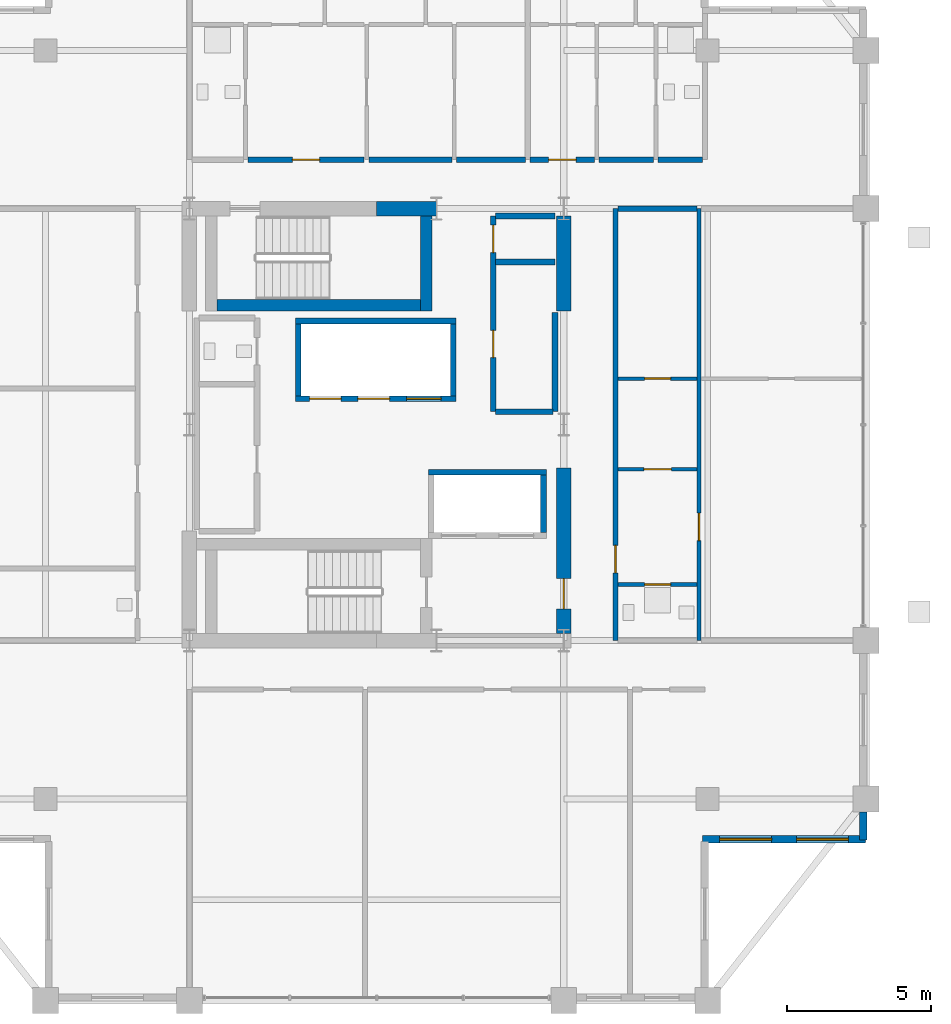
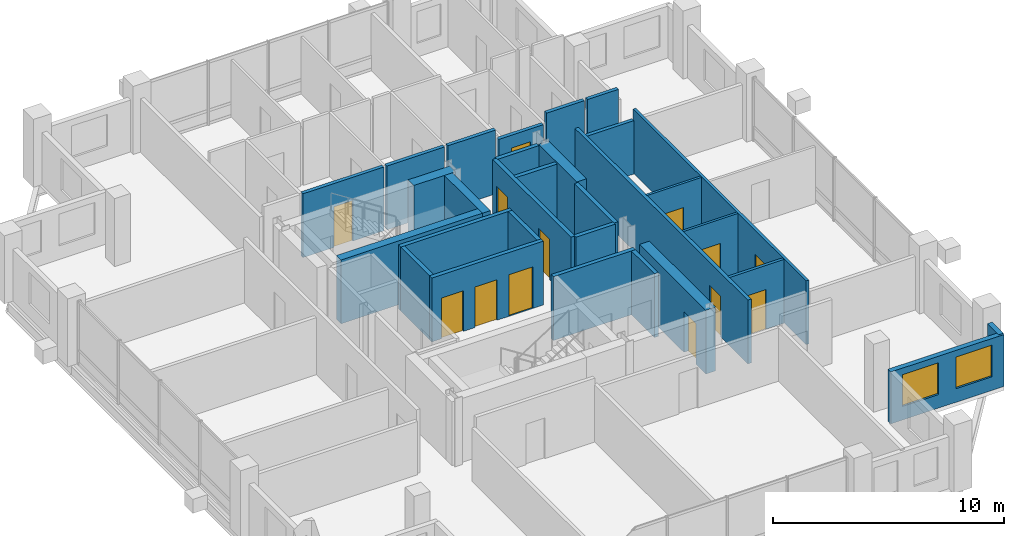
# One storey, part 17 of 21: 30 walls, 13 doors, 2 windows, 15 openings.
"""IFC4 building model written with IfcOpenShell, lengths in metres."""

from ifc_helpers import new_model, si_unit, direction, frame, frame_2d, origin, place, context, subcontext, project, spatial, rectangle, extrude, material, layer, layer_set, type_object, element, fill, save


model = new_model("IFC4")

# Units and contexts
model_context = context("Model", 3, precision=1e-05, world=origin(), true_north=direction((0.0, 1.0)))
body_context = subcontext(model_context, "Body", "Model", "MODEL_VIEW")
ifc_project = project(units=[si_unit("LENGTHUNIT", "METRE"), si_unit("AREAUNIT", "SQUARE_METRE"), si_unit("VOLUMEUNIT", "CUBIC_METRE"), si_unit("PLANEANGLEUNIT", "RADIAN"), si_unit("MASSUNIT", "GRAM", prefix="KILO")], contexts=[model_context])

# Site, building, storey
site_placement = place(None, origin())
site = spatial("IfcSite", under=ifc_project, at=site_placement, CompositionType="ELEMENT")
building_placement = place(site_placement, origin())
building = spatial("IfcBuilding", under=site, at=building_placement, Name="Barlavira Tower and Art Museum", CompositionType="ELEMENT")
storey_placement = place(building_placement, frame((0.0, 0.0, 276.300048828125)))
storey = spatial("IfcBuildingStorey", under=building, at=storey_placement, Name="L72", CompositionType="ELEMENT", Elevation=276.300048828125)

# Wall, opening, door
ifc_material_1 = material(Name="Gypsum acoustic stud partition", Category="gypsum")
ifc_layer_1 = layer(ifc_material_1, 0.1201171875, Name="Gypsum acoustic stud partition")
ifc_layer_set_1 = layer_set([ifc_layer_1], Name="Gypsum acoustic stud partition")
wall_type_1 = type_object("IfcWallType", Name="Apartment Internal Acoustic Partition 120", PredefinedType="PARTITIONING", material=ifc_layer_set_1)
wall_1_placement = place(storey_placement, frame((8.3798828125, -1.550048828125, 0.0), z_axis=(0.0, 0.0, 1.0), x_axis=(1.0, 0.0, 0.0)))
wall_1 = element("IfcWall", 1, at=wall_1_placement, inside=storey, type_object=wall_type_1, Name="L72 Partition Wall 31", PredefinedType="PARTITIONING", context=body_context, shape_type="SweptSolid", body=[
    extrude(rectangle(XDim=2.740234375, YDim=0.1201171875, at=frame_2d((1.3701171875, 0.0))), origin(), (0.0, 0.0, 1.0), 3.3798828125),
])
opening_1_placement = place(wall_1_placement, frame((0.905029296875, 0.0, 0.0)))
opening_1 = element("IfcOpeningElement", 2, at=opening_1_placement, cuts=wall_1, Name="Opening D-02", PredefinedType="OPENING", context=body_context, shape_type="SweptSolid", body=[
    extrude(rectangle(XDim=0.949951171875, YDim=2.10009765625, at=frame_2d((0.47509765625, 1.050048828125))), frame((0.0, 0.070068359375, 0.0), z_axis=(0.0, -1.0, 0.0), x_axis=(1.0, 0.0, 0.0)), (0.0, 0.0, 1.0), 0.14013671875),
])
ifc_material_2 = material(Name="Engineered coastal hardwood", Category="wood")
door_type_1 = type_object("IfcDoorType", Name="Living and Salon Glazed-Leaf Door 950x2100", OperationType="NOTDEFINED", PredefinedType="DOOR", material=ifc_material_2)
door_1_placement = place(opening_1_placement, origin())
door_1 = element("IfcDoor", 3, at=door_1_placement, inside=storey, type_object=door_type_1, Name="Apartment E1 Kitchen Door", OperationType="SINGLE_SWING_RIGHT", OverallHeight=2.10009765625, OverallWidth=0.949951171875, PredefinedType="DOOR", context=body_context, shape_type="SweptSolid", body=[
    extrude(rectangle(XDim=0.949951171875, YDim=2.10009765625, at=frame_2d((0.47509765625, 1.050048828125))), frame((0.0, 0.02490234375, 0.0), z_axis=(0.0, -1.0, 0.0), x_axis=(1.0, 0.0, 0.0)), (0.0, 0.0, 1.0), 0.050048828125),
])
fill(opening_1, door_1)

wall_2_placement = place(storey_placement, frame((8.3798828125, 1.60009765625, 0.0), z_axis=(0.0, 0.0, 1.0), x_axis=(1.0, 0.0, 0.0)))
wall_2 = element("IfcWall", 4, at=wall_2_placement, inside=storey, type_object=wall_type_1, Name="L72 Partition Wall 35", PredefinedType="PARTITIONING", context=body_context, shape_type="SweptSolid", body=[
    extrude(rectangle(XDim=2.740234375, YDim=0.1201171875, at=frame_2d((1.3701171875, 0.0))), origin(), (0.0, 0.0, 1.0), 3.3798828125),
])
opening_2_placement = place(wall_2_placement, frame((0.929931640625, 0.0, 0.0)))
opening_2 = element("IfcOpeningElement", 5, at=opening_2_placement, cuts=wall_2, Name="Opening D-01", PredefinedType="OPENING", context=body_context, shape_type="SweptSolid", body=[
    extrude(rectangle(XDim=0.89990234375, YDim=2.10009765625, at=frame_2d((0.449951171875, 1.050048828125))), frame((0.0, 0.070068359375, 0.0), z_axis=(0.0, -1.0, 0.0), x_axis=(1.0, 0.0, 0.0)), (0.0, 0.0, 1.0), 0.14013671875),
])
door_type_2 = type_object("IfcDoorType", Name="Internal Bedroom Timber Flush Door 900x2100", OperationType="NOTDEFINED", PredefinedType="DOOR", material=ifc_material_2)
door_2_placement = place(opening_2_placement, origin())
door_2 = element("IfcDoor", 6, at=door_2_placement, inside=storey, type_object=door_type_2, Name="Apartment E1 Walk-In Dressing Room Door", OperationType="SINGLE_SWING_LEFT", OverallHeight=2.10009765625, OverallWidth=0.89990234375, PredefinedType="DOOR", context=body_context, shape_type="SweptSolid", body=[
    extrude(rectangle(XDim=0.89990234375, YDim=2.10009765625, at=frame_2d((0.449951171875, 1.050048828125))), frame((0.0, 0.02490234375, 0.0), z_axis=(0.0, -1.0, 0.0), x_axis=(1.0, 0.0, 0.0)), (0.0, 0.0, 1.0), 0.050048828125),
])
fill(opening_2, door_2)

# Wall
ifc_material_3 = material(Name="Concrete C60", Category="concrete")
ifc_layer_2 = layer(ifc_material_3, 0.5, Name="Concrete C60")
ifc_layer_set_2 = layer_set([ifc_layer_2], Name="Concrete C60")
wall_type_2 = type_object("IfcWallType", Name="Core Structural Shear Wall 500 Concrete C60", PredefinedType="SHEAR", material=ifc_layer_set_2)
wall_3_placement = place(storey_placement, frame((0.0, 7.5, 0.0), z_axis=(0.0, 0.0, 1.0), x_axis=(1.0, 0.0, 0.0)))
element("IfcWall", 7, at=wall_3_placement, inside=storey, type_object=wall_type_2, Name="L72 Core Shear Wall CS-EN", PredefinedType="SHEAR", context=body_context, shape_type="SweptSolid", body=[
    extrude(rectangle(XDim=2.080078125, YDim=0.5, at=frame_2d((1.0400390625, 0.0))), origin(), (0.0, 0.0, 1.0), 3.3798828125),
])

# Wall, opening, door
wall_4_placement = place(storey_placement, frame((6.5, -7.25, 0.0), z_axis=(0.0, 0.0, 1.0), x_axis=(0.0, 1.0, 0.0)))
wall_4 = element("IfcWall", 8, at=wall_4_placement, inside=storey, type_object=wall_type_2, Name="L72 Core Shear Wall CS-E1", PredefinedType="SHEAR", context=body_context, shape_type="SweptSolid", body=[
    extrude(rectangle(XDim=5.75, YDim=0.5, at=frame_2d((2.875, 0.0))), origin(), (0.0, 0.0, 1.0), 3.3798828125),
])
opening_3_placement = place(wall_4_placement, frame((0.85009765625, 0.0, 0.0)))
opening_3 = element("IfcOpeningElement", 9, at=opening_3_placement, cuts=wall_4, Name="Opening FD-90", PredefinedType="OPENING", context=body_context, shape_type="SweptSolid", body=[
    extrude(rectangle(XDim=1.050048828125, YDim=2.14990234375, at=frame_2d((0.52490234375, 1.074951171875))), frame((0.0, 0.260009765625, 0.0), z_axis=(0.0, -1.0, 0.0), x_axis=(1.0, 0.0, 0.0)), (0.0, 0.0, 1.0), 0.52001953125),
])
ifc_material_4 = material(Name="Brushed stainless steel", Category="steel")
door_type_3 = type_object("IfcDoorType", Name="Stair and Refuge Fire Door 1050x2150 FD90S", OperationType="NOTDEFINED", PredefinedType="DOOR", material=ifc_material_4)
door_3_placement = place(opening_3_placement, origin())
door_3 = element("IfcDoor", 10, at=door_3_placement, inside=storey, type_object=door_type_3, Name="L72 Firefighting Lobby Entry Fire Door", OperationType="SINGLE_SWING_LEFT", OverallHeight=2.14990234375, OverallWidth=1.050048828125, PredefinedType="DOOR", context=body_context, shape_type="SweptSolid", body=[
    extrude(rectangle(XDim=1.050048828125, YDim=2.14990234375, at=frame_2d((0.52490234375, 1.074951171875))), frame((0.0, 0.02490234375, 0.0), z_axis=(0.0, -1.0, 0.0), x_axis=(1.0, 0.0, 0.0)), (0.0, 0.0, 1.0), 0.050048828125),
])
fill(opening_3, door_3)

# Wall
wall_5_placement = place(storey_placement, frame((6.5, 3.949951171875, 0.0), z_axis=(0.0, 0.0, 1.0), x_axis=(0.0, 1.0, 0.0)))
element("IfcWall", 11, at=wall_5_placement, inside=storey, type_object=wall_type_2, Name="L72 Core Shear Wall CS-E2", PredefinedType="SHEAR", context=body_context, shape_type="SweptSolid", body=[
    extrude(rectangle(XDim=3.300048828125, YDim=0.5, at=frame_2d((1.64990234375, 0.0))), origin(), (0.0, 0.0, 1.0), 3.3798828125),
])

# Wall, openings, doors
ifc_material_5 = material(Name="Autoclaved aerated concrete masonry", Category="masonry")
ifc_layer_3 = layer(ifc_material_5, 0.199951171875, Name="Autoclaved aerated concrete masonry")
ifc_layer_set_3 = layer_set([ifc_layer_3], Name="Autoclaved aerated concrete masonry")
wall_type_3 = type_object("IfcWallType", Name="Fire Compartment and Shaft Wall 200", PredefinedType="SOLIDWALL", material=ifc_layer_set_3)
wall_6_placement = place(storey_placement, frame((-2.820068359375, 0.89990234375, 0.0), z_axis=(0.0, 0.0, 1.0), x_axis=(1.0, 0.0, 0.0)))
wall_6 = element("IfcWall", 12, at=wall_6_placement, inside=storey, type_object=wall_type_3, Name="L72 High-Rise & Service Lift Front Wall", PredefinedType="SOLIDWALL", context=body_context, shape_type="SweptSolid", body=[
    extrude(rectangle(XDim=5.580078125, YDim=0.199951171875, at=frame_2d((2.7900390625, 0.0))), origin(), (0.0, 0.0, 1.0), 3.3798828125),
])
opening_4_placement = place(wall_6_placement, frame((0.489990234375, 0.0, 0.0)))
opening_4 = element("IfcOpeningElement", 13, at=opening_4_placement, cuts=wall_6, Name="Opening LD-P", PredefinedType="OPENING", context=body_context, shape_type="SweptSolid", body=[
    extrude(rectangle(XDim=1.10009765625, YDim=2.14990234375, at=frame_2d((0.550048828125, 1.074951171875))), frame((0.0, 0.10986328125, 0.0), z_axis=(0.0, -1.0, 0.0), x_axis=(1.0, 0.0, 0.0)), (0.0, 0.0, 1.0), 0.219970703125),
])
opening_5_placement = place(wall_6_placement, frame((2.169921875, 0.0, 0.0)))
opening_5 = element("IfcOpeningElement", 14, at=opening_5_placement, cuts=wall_6, Name="Opening LD-P", PredefinedType="OPENING", context=body_context, shape_type="SweptSolid", body=[
    extrude(rectangle(XDim=1.10009765625, YDim=2.14990234375, at=frame_2d((0.550048828125, 1.074951171875))), frame((0.0, 0.10986328125, 0.0), z_axis=(0.0, -1.0, 0.0), x_axis=(1.0, 0.0, 0.0)), (0.0, 0.0, 1.0), 0.219970703125),
])
opening_6_placement = place(wall_6_placement, frame((3.860107421875, 0.0, 0.0)))
opening_6 = element("IfcOpeningElement", 15, at=opening_6_placement, cuts=wall_6, Name="Opening LD-F", PredefinedType="OPENING", context=body_context, shape_type="SweptSolid", body=[
    extrude(rectangle(XDim=1.199951171875, YDim=2.199951171875, at=frame_2d((0.60009765625, 1.10009765625))), frame((0.0, 0.10986328125, 0.0), z_axis=(0.0, -1.0, 0.0), x_axis=(1.0, 0.0, 0.0)), (0.0, 0.0, 1.0), 0.219970703125),
])
door_type_4 = type_object("IfcDoorType", Name="Firefighting and Service Lift Sliding Door 1200x2200 FD120", OperationType="NOTDEFINED", PredefinedType="DOOR", material=ifc_material_4)
door_4_placement = place(opening_6_placement, origin())
door_4 = element("IfcDoor", 16, at=door_4_placement, inside=storey, type_object=door_type_4, Name="L72 Stretcher Service Lift SL1 Sliding Door", OperationType="DOUBLE_DOOR_SLIDING", OverallHeight=2.199951171875, OverallWidth=1.199951171875, PredefinedType="DOOR", context=body_context, shape_type="SweptSolid", body=[
    extrude(rectangle(XDim=1.199951171875, YDim=2.199951171875, at=frame_2d((0.60009765625, 1.10009765625))), frame((0.0, 0.02490234375, 0.0), z_axis=(0.0, -1.0, 0.0), x_axis=(1.0, 0.0, 0.0)), (0.0, 0.0, 1.0), 0.050048828125),
])
fill(opening_6, door_4)
door_type_5 = type_object("IfcDoorType", Name="Passenger Lift Sliding Landing Door 1100x2150 FD60", OperationType="NOTDEFINED", PredefinedType="DOOR", material=ifc_material_4)
door_5_placement = place(opening_4_placement, origin())
door_5 = element("IfcDoor", 17, at=door_5_placement, inside=storey, type_object=door_type_5, Name="L72 Lift PH1 Sliding Landing Door", OperationType="DOUBLE_DOOR_SLIDING", OverallHeight=2.14990234375, OverallWidth=1.10009765625, PredefinedType="DOOR", context=body_context, shape_type="SweptSolid", body=[
    extrude(rectangle(XDim=1.10009765625, YDim=2.14990234375, at=frame_2d((0.550048828125, 1.074951171875))), frame((0.0, 0.02490234375, 0.0), z_axis=(0.0, -1.0, 0.0), x_axis=(1.0, 0.0, 0.0)), (0.0, 0.0, 1.0), 0.050048828125),
])
fill(opening_4, door_5)
door_6_placement = place(opening_5_placement, origin())
door_6 = element("IfcDoor", 18, at=door_6_placement, inside=storey, type_object=door_type_5, Name="L72 Lift PH2 Sliding Landing Door", OperationType="DOUBLE_DOOR_SLIDING", OverallHeight=2.14990234375, OverallWidth=1.10009765625, PredefinedType="DOOR", context=body_context, shape_type="SweptSolid", body=[
    extrude(rectangle(XDim=1.10009765625, YDim=2.14990234375, at=frame_2d((0.550048828125, 1.074951171875))), frame((0.0, 0.02490234375, 0.0), z_axis=(0.0, -1.0, 0.0), x_axis=(1.0, 0.0, 0.0)), (0.0, 0.0, 1.0), 0.050048828125),
])
fill(opening_5, door_6)

# Walls
wall_7_placement = place(storey_placement, frame((-2.820068359375, 3.60009765625, 0.0), z_axis=(0.0, 0.0, 1.0), x_axis=(1.0, 0.0, 0.0)))
element("IfcWall", 19, at=wall_7_placement, inside=storey, type_object=wall_type_3, Name="L72 High-Rise & Service Lift Back Wall", PredefinedType="SOLIDWALL", context=body_context, shape_type="SweptSolid", body=[
    extrude(rectangle(XDim=5.580078125, YDim=0.199951171875, at=frame_2d((2.7900390625, 0.0))), origin(), (0.0, 0.0, 1.0), 3.3798828125),
])
for number, where, z_axis, x_axis, name in (
    (20, (-2.719970703125, 1.0, 0.0), (0.0, 0.0, 1.0), (0.0, 1.0, 0.0), "L72 High-Rise & Service Lift West Wall"),
    (21, (2.659912109375, 1.0, 0.0), (0.0, 0.0, 1.0), (0.0, 1.0, 0.0), "L72 High-Rise & Service Lift East Wall"),
):
    element("IfcWall", number, at=place(storey_placement, frame(where, z_axis=z_axis, x_axis=x_axis)), inside=storey, type_object=wall_type_3, Name=name, PredefinedType="SOLIDWALL", context=body_context, shape_type="SweptSolid", body=[
        extrude(rectangle(XDim=2.5, YDim=0.199951171875, at=frame_2d((1.25, 0.0))), origin(), (0.0, 0.0, 1.0), 3.3798828125),
    ])
wall_8_placement = place(storey_placement, frame((1.800048828125, -1.64990234375, 0.0), z_axis=(0.0, 0.0, 1.0), x_axis=(1.0, 0.0, 0.0)))
element("IfcWall", 22, at=wall_8_placement, inside=storey, type_object=wall_type_3, Name="L72 Firefighting Lift Back Shaft Wall", PredefinedType="SOLIDWALL", context=body_context, shape_type="SweptSolid", body=[
    extrude(rectangle(XDim=4.099853515625, YDim=0.199951171875, at=frame_2d((2.0498046875, 0.0))), origin(), (0.0, 0.0, 1.0), 3.3798828125),
])
wall_9_placement = place(storey_placement, frame((5.800048828125, -3.75, 0.0), z_axis=(0.0, 0.0, 1.0), x_axis=(0.0, 1.0, 0.0)))
element("IfcWall", 23, at=wall_9_placement, inside=storey, type_object=wall_type_3, Name="L72 Firefighting Lift East Shaft Wall", PredefinedType="SOLIDWALL", context=body_context, shape_type="SweptSolid", body=[
    extrude(rectangle(XDim=2.0, YDim=0.199951171875, at=frame_2d((1.0, 0.0))), origin(), (0.0, 0.0, 1.0), 3.3798828125),
])

# Wall, openings, doors
wall_10_placement = place(storey_placement, frame((4.050048828125, 0.449951171875, 0.0), z_axis=(0.0, 0.0, 1.0), x_axis=(0.0, 1.0, 0.0)))
wall_10 = element("IfcWall", 24, at=wall_10_placement, inside=storey, type_object=wall_type_3, Name="L72 Partition Wall 12", PredefinedType="SOLIDWALL", context=body_context, shape_type="SweptSolid", body=[
    extrude(rectangle(XDim=6.800048828125, YDim=0.199951171875, at=frame_2d((3.39990234375, 0.0))), origin(), (0.0, 0.0, 1.0), 3.3798828125),
])
opening_7_placement = place(wall_10_placement, frame((1.875, 0.0, 0.0)))
opening_7 = element("IfcOpeningElement", 25, at=opening_7_placement, cuts=wall_10, Name="Opening FD-60", PredefinedType="OPENING", context=body_context, shape_type="SweptSolid", body=[
    extrude(rectangle(XDim=0.949951171875, YDim=2.14990234375, at=frame_2d((0.47509765625, 1.074951171875))), frame((0.0, 0.10986328125, 0.0), z_axis=(0.0, -1.0, 0.0), x_axis=(1.0, 0.0, 0.0)), (0.0, 0.0, 1.0), 0.219970703125),
])
opening_8_placement = place(wall_10_placement, frame((5.52490234375, 0.0, 0.0)))
opening_8 = element("IfcOpeningElement", 26, at=opening_8_placement, cuts=wall_10, Name="Opening FD-60", PredefinedType="OPENING", context=body_context, shape_type="SweptSolid", body=[
    extrude(rectangle(XDim=0.949951171875, YDim=2.14990234375, at=frame_2d((0.47509765625, 1.074951171875))), frame((0.0, 0.10986328125, 0.0), z_axis=(0.0, -1.0, 0.0), x_axis=(1.0, 0.0, 0.0)), (0.0, 0.0, 1.0), 0.219970703125),
])
door_type_6 = type_object("IfcDoorType", Name="Apartment Entrance and Riser Fire Door 950x2150 FD60S", OperationType="NOTDEFINED", PredefinedType="DOOR", material=ifc_material_4)
door_7_placement = place(opening_7_placement, origin())
door_7 = element("IfcDoor", 27, at=door_7_placement, inside=storey, type_object=door_type_6, Name="Reclaimed Upper Core Study Salon Door", OperationType="SINGLE_SWING_RIGHT", OverallHeight=2.14990234375, OverallWidth=0.949951171875, PredefinedType="DOOR", context=body_context, shape_type="SweptSolid", body=[
    extrude(rectangle(XDim=0.949951171875, YDim=2.14990234375, at=frame_2d((0.47509765625, 1.074951171875))), frame((0.0, 0.02490234375, 0.0), z_axis=(0.0, -1.0, 0.0), x_axis=(1.0, 0.0, 0.0)), (0.0, 0.0, 1.0), 0.050048828125),
])
fill(opening_7, door_7)
door_8_placement = place(opening_8_placement, origin())
door_8 = element("IfcDoor", 28, at=door_8_placement, inside=storey, type_object=door_type_6, Name="Telecom and BMS Distribution Room Door", OperationType="SINGLE_SWING_LEFT", OverallHeight=2.14990234375, OverallWidth=0.949951171875, PredefinedType="DOOR", context=body_context, shape_type="SweptSolid", body=[
    extrude(rectangle(XDim=0.949951171875, YDim=2.14990234375, at=frame_2d((0.47509765625, 1.074951171875))), frame((0.0, 0.02490234375, 0.0), z_axis=(0.0, -1.0, 0.0), x_axis=(1.0, 0.0, 0.0)), (0.0, 0.0, 1.0), 0.050048828125),
])
fill(opening_8, door_8)

# Walls
wall_11_placement = place(storey_placement, frame((6.199951171875, 0.449951171875, 0.0), z_axis=(0.0, 0.0, 1.0), x_axis=(0.0, 1.0, 0.0)))
element("IfcWall", 29, at=wall_11_placement, inside=storey, type_object=wall_type_3, Name="L72 Partition Wall 14", PredefinedType="SOLIDWALL", context=body_context, shape_type="SweptSolid", body=[
    extrude(rectangle(XDim=3.43994140625, YDim=0.199951171875, at=frame_2d((1.719970703125, 0.0))), origin(), (0.0, 0.0, 1.0), 3.3798828125),
])
wall_12_placement = place(storey_placement, frame((4.1298828125, 0.449951171875, 0.0), z_axis=(0.0, 0.0, 1.0), x_axis=(1.0, 0.0, 0.0)))
element("IfcWall", 30, at=wall_12_placement, inside=storey, type_object=wall_type_3, Name="L72 Partition Wall 32", PredefinedType="SOLIDWALL", context=body_context, shape_type="SweptSolid", body=[
    extrude(rectangle(XDim=1.990234375, YDim=0.199951171875, at=frame_2d((0.9951171875, 0.0))), origin(), (0.0, 0.0, 1.0), 3.3798828125),
])
for number, where, z_axis, x_axis, name in (
    (31, (4.1298828125, 5.64990234375, 0.0), (0.0, 0.0, 1.0), (1.0, 0.0, 0.0), "L72 Partition Wall 38"),
    (32, (4.1298828125, 7.25, 0.0), (0.0, 0.0, 1.0), (1.0, 0.0, 0.0), "L72 Partition Wall 39"),
):
    element("IfcWall", number, at=place(storey_placement, frame(where, z_axis=z_axis, x_axis=x_axis)), inside=storey, type_object=wall_type_3, Name=name, PredefinedType="SOLIDWALL", context=body_context, shape_type="SweptSolid", body=[
        extrude(rectangle(XDim=2.070068359375, YDim=0.199951171875, at=frame_2d((1.03515625, 0.0))), origin(), (0.0, 0.0, 1.0), 3.3798828125),
    ])

# Wall, opening, door
ifc_layer_4 = layer(ifc_material_1, 0.179931640625, Name="Gypsum acoustic stud partition")
ifc_layer_set_4 = layer_set([ifc_layer_4], Name="Gypsum acoustic stud partition")
wall_type_4 = type_object("IfcWallType", Name="Inter-Tenancy Party Partition Wall 180", PredefinedType="PARTITIONING", material=ifc_layer_set_4)
wall_13_placement = place(storey_placement, frame((8.300048828125, -7.5, 0.0), z_axis=(0.0, 0.0, 1.0), x_axis=(0.0, 1.0, 0.0)))
wall_13 = element("IfcWall", 33, at=wall_13_placement, inside=storey, type_object=wall_type_4, Name="L72 Partition Wall 16", PredefinedType="PARTITIONING", context=body_context, shape_type="SweptSolid", body=[
    extrude(rectangle(XDim=15.0, YDim=0.179931640625, at=frame_2d((7.5, 0.0))), origin(), (0.0, 0.0, 1.0), 3.3798828125),
])
opening_9_placement = place(wall_13_placement, frame((2.35498046875, 0.0, 0.0)))
opening_9 = element("IfcOpeningElement", 34, at=opening_9_placement, cuts=wall_13, Name="Opening FD-60", PredefinedType="OPENING", context=body_context, shape_type="SweptSolid", body=[
    extrude(rectangle(XDim=0.949951171875, YDim=2.14990234375, at=frame_2d((0.47509765625, 1.074951171875))), frame((0.0, 0.10009765625, 0.0), z_axis=(0.0, -1.0, 0.0), x_axis=(1.0, 0.0, 0.0)), (0.0, 0.0, 1.0), 0.199951171875),
])
door_9_placement = place(opening_9_placement, origin())
door_9 = element("IfcDoor", 35, at=door_9_placement, inside=storey, type_object=door_type_6, Name="Apartment Entrance Hall E1 Door", OperationType="SINGLE_SWING_LEFT", OverallHeight=2.14990234375, OverallWidth=0.949951171875, PredefinedType="DOOR", context=body_context, shape_type="SweptSolid", body=[
    extrude(rectangle(XDim=0.949951171875, YDim=2.14990234375, at=frame_2d((0.47509765625, 1.074951171875))), frame((0.0, 0.02490234375, 0.0), z_axis=(0.0, -1.0, 0.0), x_axis=(1.0, 0.0, 0.0)), (0.0, 0.0, 1.0), 0.050048828125),
])
fill(opening_9, door_9)

# Wall
wall_14_placement = place(storey_placement, frame((8.3798828125, 7.5, 0.0), z_axis=(0.0, 0.0, 1.0), x_axis=(1.0, 0.0, 0.0)))
element("IfcWall", 36, at=wall_14_placement, inside=storey, type_object=wall_type_4, Name="L72 Partition Wall 41", PredefinedType="PARTITIONING", context=body_context, shape_type="SweptSolid", body=[
    extrude(rectangle(XDim=2.740234375, YDim=0.179931640625, at=frame_2d((1.3701171875, 0.0))), origin(), (0.0, 0.0, 1.0), 2.825927734375),
])

# Wall, opening, door
wall_15_placement = place(storey_placement, frame((-4.469970703125, 9.199951171875, 0.0), z_axis=(0.0, 0.0, 1.0), x_axis=(1.0, 0.0, 0.0)))
wall_15 = element("IfcWall", 37, at=wall_15_placement, inside=storey, type_object=wall_type_4, Name="L72 Partition Wall 44", PredefinedType="PARTITIONING", context=body_context, shape_type="SweptSolid", body=[
    extrude(rectangle(XDim=4.0400390625, YDim=0.179931640625, at=frame_2d((2.02001953125, 0.0))), origin(), (0.0, 0.0, 1.0), 3.3798828125),
])
opening_10_placement = place(wall_15_placement, frame((1.544921875, 0.0, 0.0)))
opening_10 = element("IfcOpeningElement", 38, at=opening_10_placement, cuts=wall_15, Name="Opening FD-60", PredefinedType="OPENING", context=body_context, shape_type="SweptSolid", body=[
    extrude(rectangle(XDim=0.949951171875, YDim=2.14990234375, at=frame_2d((0.47509765625, 1.074951171875))), frame((0.0, 0.10009765625, 0.0), z_axis=(0.0, -1.0, 0.0), x_axis=(1.0, 0.0, 0.0)), (0.0, 0.0, 1.0), 0.199951171875),
])
door_10_placement = place(opening_10_placement, origin())
door_10 = element("IfcDoor", 39, at=door_10_placement, inside=storey, type_object=door_type_6, Name="Apartment Entrance Hall N1 Door", OperationType="SINGLE_SWING_RIGHT", OverallHeight=2.14990234375, OverallWidth=0.949951171875, PredefinedType="DOOR", context=body_context, shape_type="SweptSolid", body=[
    extrude(rectangle(XDim=0.949951171875, YDim=2.14990234375, at=frame_2d((0.47509765625, 1.074951171875))), frame((0.0, 0.02490234375, 0.0), z_axis=(0.0, -1.0, 0.0), x_axis=(1.0, 0.0, 0.0)), (0.0, 0.0, 1.0), 0.050048828125),
])
fill(opening_10, door_10)

# Walls
wall_16_placement = place(storey_placement, frame((-0.27001953125, 9.199951171875, 0.0), z_axis=(0.0, 0.0, 1.0), x_axis=(1.0, 0.0, 0.0)))
element("IfcWall", 40, at=wall_16_placement, inside=storey, type_object=wall_type_4, Name="L72 Partition Wall 45", PredefinedType="PARTITIONING", context=body_context, shape_type="SweptSolid", body=[
    extrude(rectangle(XDim=2.89013671875, YDim=0.179931640625, at=frame_2d((1.445068359375, 0.0))), origin(), (0.0, 0.0, 1.0), 3.3798828125),
])
wall_17_placement = place(storey_placement, frame((2.780029296875, 9.199951171875, 0.0), z_axis=(0.0, 0.0, 1.0), x_axis=(1.0, 0.0, 0.0)))
element("IfcWall", 41, at=wall_17_placement, inside=storey, type_object=wall_type_4, Name="L72 Partition Wall 46", PredefinedType="PARTITIONING", context=body_context, shape_type="SweptSolid", body=[
    extrude(rectangle(XDim=2.389892578125, YDim=0.179931640625, at=frame_2d((1.19482421875, 0.0))), origin(), (0.0, 0.0, 1.0), 3.3798828125),
])

# Wall, opening, door
wall_18_placement = place(storey_placement, frame((5.330078125, 9.199951171875, 0.0), z_axis=(0.0, 0.0, 1.0), x_axis=(1.0, 0.0, 0.0)))
wall_18 = element("IfcWall", 42, at=wall_18_placement, inside=storey, type_object=wall_type_4, Name="L72 Partition Wall 47", PredefinedType="PARTITIONING", context=body_context, shape_type="SweptSolid", body=[
    extrude(rectangle(XDim=2.239990234375, YDim=0.179931640625, at=frame_2d((1.1201171875, 0.0))), origin(), (0.0, 0.0, 1.0), 2.825927734375),
])
opening_11_placement = place(wall_18_placement, frame((0.64501953125, 0.0, 0.0)))
opening_11 = element("IfcOpeningElement", 43, at=opening_11_placement, cuts=wall_18, Name="Opening FD-60", PredefinedType="OPENING", context=body_context, shape_type="SweptSolid", body=[
    extrude(rectangle(XDim=0.949951171875, YDim=2.14990234375, at=frame_2d((0.47509765625, 1.074951171875))), frame((0.0, 0.10009765625, 0.0), z_axis=(0.0, -1.0, 0.0), x_axis=(1.0, 0.0, 0.0)), (0.0, 0.0, 1.0), 0.199951171875),
])
door_11_placement = place(opening_11_placement, origin())
door_11 = element("IfcDoor", 44, at=door_11_placement, inside=storey, type_object=door_type_6, Name="Apartment Entrance Hall N2 Door", OperationType="SINGLE_SWING_RIGHT", OverallHeight=2.14990234375, OverallWidth=0.949951171875, PredefinedType="DOOR", context=body_context, shape_type="SweptSolid", body=[
    extrude(rectangle(XDim=0.949951171875, YDim=2.14990234375, at=frame_2d((0.47509765625, 1.074951171875))), frame((0.0, 0.02490234375, 0.0), z_axis=(0.0, -1.0, 0.0), x_axis=(1.0, 0.0, 0.0)), (0.0, 0.0, 1.0), 0.050048828125),
])
fill(opening_11, door_11)

# Walls
wall_19_placement = place(storey_placement, frame((7.72998046875, 9.199951171875, 0.0), z_axis=(0.0, 0.0, 1.0), x_axis=(1.0, 0.0, 0.0)))
element("IfcWall", 45, at=wall_19_placement, inside=storey, type_object=wall_type_4, Name="L72 Partition Wall 48", PredefinedType="PARTITIONING", context=body_context, shape_type="SweptSolid", body=[
    extrude(rectangle(XDim=1.89013671875, YDim=0.179931640625, at=frame_2d((0.945068359375, 0.0))), origin(), (0.0, 0.0, 1.0), 3.3798828125),
])
wall_20_placement = place(storey_placement, frame((9.780029296875, 9.199951171875, 0.0), z_axis=(0.0, 0.0, 1.0), x_axis=(1.0, 0.0, 0.0)))
element("IfcWall", 46, at=wall_20_placement, inside=storey, type_object=wall_type_4, Name="L72 Partition Wall 49", PredefinedType="PARTITIONING", context=body_context, shape_type="SweptSolid", body=[
    extrude(rectangle(XDim=1.5400390625, YDim=0.179931640625, at=frame_2d((0.77001953125, 0.0))), origin(), (0.0, 0.0, 1.0), 3.3798828125),
])

# Wall, opening, door
ifc_layer_5 = layer(ifc_material_1, 0.139892578125, Name="Gypsum acoustic stud partition")
ifc_layer_set_5 = layer_set([ifc_layer_5], Name="Gypsum acoustic stud partition")
wall_type_5 = type_object("IfcWallType", Name="Moisture-Resistant Bathroom Partition 140", PredefinedType="PARTITIONING", material=ifc_layer_set_5)
wall_21_placement = place(storey_placement, frame((11.199951171875, -7.5, 0.0), z_axis=(0.0, 0.0, 1.0), x_axis=(0.0, 1.0, 0.0)))
wall_21 = element("IfcWall", 47, at=wall_21_placement, inside=storey, type_object=wall_type_5, Name="L72 Partition Wall 20", PredefinedType="PARTITIONING", context=body_context, shape_type="SweptSolid", body=[
    extrude(rectangle(XDim=15.0, YDim=0.139892578125, at=frame_2d((7.5, 0.0))), origin(), (0.0, 0.0, 1.0), 3.3798828125),
])
opening_12_placement = place(wall_21_placement, frame((3.47509765625, 0.0, 0.0)))
opening_12 = element("IfcOpeningElement", 48, at=opening_12_placement, cuts=wall_21, Name="Opening D-02", PredefinedType="OPENING", context=body_context, shape_type="SweptSolid", body=[
    extrude(rectangle(XDim=0.949951171875, YDim=2.10009765625, at=frame_2d((0.47509765625, 1.050048828125))), frame((0.0, 0.080078125, 0.0), z_axis=(0.0, -1.0, 0.0), x_axis=(1.0, 0.0, 0.0)), (0.0, 0.0, 1.0), 0.159912109375),
])
door_12_placement = place(opening_12_placement, origin())
door_12 = element("IfcDoor", 49, at=door_12_placement, inside=storey, type_object=door_type_1, Name="Apartment E1 Living Lounge Door", OperationType="SINGLE_SWING_RIGHT", OverallHeight=2.10009765625, OverallWidth=0.949951171875, PredefinedType="DOOR", context=body_context, shape_type="SweptSolid", body=[
    extrude(rectangle(XDim=0.949951171875, YDim=2.10009765625, at=frame_2d((0.47509765625, 1.050048828125))), frame((0.0, 0.02490234375, 0.0), z_axis=(0.0, -1.0, 0.0), x_axis=(1.0, 0.0, 0.0)), (0.0, 0.0, 1.0), 0.050048828125),
])
fill(opening_12, door_12)

wall_22_placement = place(storey_placement, frame((8.3798828125, -5.550048828125, 0.0), z_axis=(0.0, 0.0, 1.0), x_axis=(1.0, 0.0, 0.0)))
wall_22 = element("IfcWall", 50, at=wall_22_placement, inside=storey, type_object=wall_type_5, Name="L72 Partition Wall 28", PredefinedType="PARTITIONING", context=body_context, shape_type="SweptSolid", body=[
    extrude(rectangle(XDim=2.740234375, YDim=0.139892578125, at=frame_2d((1.3701171875, 0.0))), origin(), (0.0, 0.0, 1.0), 3.3798828125),
])
opening_13_placement = place(wall_22_placement, frame((0.929931640625, 0.0, 0.0)))
opening_13 = element("IfcOpeningElement", 51, at=opening_13_placement, cuts=wall_22, Name="Opening D-WC", PredefinedType="OPENING", context=body_context, shape_type="SweptSolid", body=[
    extrude(rectangle(XDim=0.89990234375, YDim=2.10009765625, at=frame_2d((0.449951171875, 1.050048828125))), frame((0.0, 0.080078125, 0.0), z_axis=(0.0, -1.0, 0.0), x_axis=(1.0, 0.0, 0.0)), (0.0, 0.0, 1.0), 0.159912109375),
])
door_type_7 = type_object("IfcDoorType", Name="Accessible Bathroom Flush Door 900x2100", OperationType="NOTDEFINED", PredefinedType="DOOR", material=ifc_material_2)
door_13_placement = place(opening_13_placement, origin())
door_13 = element("IfcDoor", 52, at=door_13_placement, inside=storey, type_object=door_type_7, Name="Apartment E1 Hall Bathroom Door", OperationType="SINGLE_SWING_RIGHT", OverallHeight=2.10009765625, OverallWidth=0.89990234375, PredefinedType="DOOR", context=body_context, shape_type="SweptSolid", body=[
    extrude(rectangle(XDim=0.89990234375, YDim=2.10009765625, at=frame_2d((0.449951171875, 1.050048828125))), frame((0.0, 0.02490234375, 0.0), z_axis=(0.0, -1.0, 0.0), x_axis=(1.0, 0.0, 0.0)), (0.0, 0.0, 1.0), 0.050048828125),
])
fill(opening_13, door_13)

# Wall
ifc_material_6 = material(Name="Precast concrete C40", Category="concrete")
ifc_layer_6 = layer(ifc_material_6, 0.25, Name="Precast concrete C40")
ifc_layer_set_6 = layer_set([ifc_layer_6], Name="Precast concrete C40")
wall_type_6 = type_object("IfcWallType", Name="Notched Corner Spandrel Wall 250 Precast Concrete C40", PredefinedType="SOLIDWALL", material=ifc_layer_set_6)
wall_23_placement = place(storey_placement, frame((16.89990234375, -14.425048828125, 0.0), z_axis=(0.0, 0.0, 1.0), x_axis=(0.0, 1.0, 0.0)))
element("IfcWall", 53, at=wall_23_placement, inside=storey, type_object=wall_type_6, Name="L72 Coastal Facade Pier Wall CW4-L72-E-1", PredefinedType="SOLIDWALL", context=body_context, shape_type="SweptSolid", body=[
    extrude(rectangle(XDim=0.97998046875, YDim=0.25, at=frame_2d((0.489990234375, 0.0))), origin(), (0.0, 0.0, 1.0), 2.748046875),
])

# Wall, openings, windows
wall_24_placement = place(storey_placement, frame((11.320068359375, -14.39990234375, 0.0), z_axis=(0.0, 0.0, 1.0), x_axis=(1.0, 0.0, 0.0)))
wall_24 = element("IfcWall", 54, at=wall_24_placement, inside=storey, type_object=wall_type_6, Name="L72 Notch Corner Wall SE2", PredefinedType="SOLIDWALL", context=body_context, shape_type="SweptSolid", body=[
    extrude(rectangle(XDim=5.659912109375, YDim=0.25, at=frame_2d((2.830078125, 0.0))), origin(), (0.0, 0.0, 1.0), 2.748046875),
])
opening_14_placement = place(wall_24_placement, frame((0.594970703125, 0.0, 0.719970703125)))
opening_14 = element("IfcOpeningElement", 55, at=opening_14_placement, cuts=wall_24, Name="Opening WN-01", PredefinedType="OPENING", context=body_context, shape_type="SweptSolid", body=[
    extrude(rectangle(XDim=1.800048828125, YDim=1.679931640625, at=frame_2d((0.89990234375, 0.83984375))), frame((0.0, 0.135009765625, 0.0), z_axis=(0.0, -1.0, 0.0), x_axis=(1.0, 0.0, 0.0)), (0.0, 0.0, 1.0), 0.27001953125),
])
opening_15_placement = place(wall_24_placement, frame((3.264892578125, 0.0, 0.719970703125)))
opening_15 = element("IfcOpeningElement", 56, at=opening_15_placement, cuts=wall_24, Name="Opening WN-01", PredefinedType="OPENING", context=body_context, shape_type="SweptSolid", body=[
    extrude(rectangle(XDim=1.800048828125, YDim=1.679931640625, at=frame_2d((0.89990234375, 0.83984375))), frame((0.0, 0.135009765625, 0.0), z_axis=(0.0, -1.0, 0.0), x_axis=(1.0, 0.0, 0.0)), (0.0, 0.0, 1.0), 0.27001953125),
])
ifc_material_7 = material(Name="Low-iron coastal laminated glass", Category="glass")
window_type = type_object("IfcWindowType", Name="Recessed Notch Corner Punch Window 1800x1680", PartitioningType="SINGLE_PANEL", PredefinedType="WINDOW", material=ifc_material_7)
window_1_placement = place(opening_14_placement, origin())
window_1 = element("IfcWindow", 57, at=window_1_placement, inside=storey, type_object=window_type, Name="L72 Punched Facade Window EW-NTC-L72-SE2-1", OverallHeight=1.679931640625, OverallWidth=1.800048828125, PartitioningType="SINGLE_PANEL", PredefinedType="WINDOW", context=body_context, shape_type="SweptSolid", body=[
    extrude(rectangle(XDim=1.800048828125, YDim=1.679931640625, at=frame_2d((0.89990234375, 0.83984375))), frame((0.0, 0.030029296875, 0.0), z_axis=(0.0, -1.0, 0.0), x_axis=(1.0, 0.0, 0.0)), (0.0, 0.0, 1.0), 0.06005859375),
])
fill(opening_14, window_1)
window_2_placement = place(opening_15_placement, origin())
window_2 = element("IfcWindow", 58, at=window_2_placement, inside=storey, type_object=window_type, Name="L72 Punched Facade Window EW-NTC-L72-SE2-2", OverallHeight=1.679931640625, OverallWidth=1.800048828125, PartitioningType="SINGLE_PANEL", PredefinedType="WINDOW", context=body_context, shape_type="SweptSolid", body=[
    extrude(rectangle(XDim=1.800048828125, YDim=1.679931640625, at=frame_2d((0.89990234375, 0.83984375))), frame((0.0, 0.030029296875, 0.0), z_axis=(0.0, -1.0, 0.0), x_axis=(1.0, 0.0, 0.0)), (0.0, 0.0, 1.0), 0.06005859375),
])
fill(opening_15, window_2)

# Walls
ifc_material_8 = material(Name="Concrete C55", Category="concrete")
ifc_layer_7 = layer(ifc_material_8, 0.39990234375, Name="Concrete C55")
ifc_layer_set_7 = layer_set([ifc_layer_7], Name="Concrete C55")
wall_type_7 = type_object("IfcWallType", Name="Upper Core Shear Wall 400 Concrete C55", PredefinedType="SHEAR", material=ifc_layer_set_7)
wall_25_placement = place(storey_placement, frame((-5.550048828125, 4.14990234375, 0.0), z_axis=(0.0, 0.0, 1.0), x_axis=(1.0, 0.0, 0.0)))
element("IfcWall", 59, at=wall_25_placement, inside=storey, type_object=wall_type_7, Name="L72 ST-T2 South Shaft Wall", PredefinedType="SHEAR", context=body_context, shape_type="SweptSolid", body=[
    extrude(rectangle(XDim=7.080078125, YDim=0.39990234375, at=frame_2d((3.5400390625, 0.0))), origin(), (0.0, 0.0, 1.0), 3.3798828125),
])
wall_26_placement = place(storey_placement, frame((1.72998046875, 3.949951171875, 0.0), z_axis=(0.0, 0.0, 1.0), x_axis=(0.0, 1.0, 0.0)))
element("IfcWall", 60, at=wall_26_placement, inside=storey, type_object=wall_type_7, Name="L72 ST-T2 East Half-Landing Wall", PredefinedType="SHEAR", context=body_context, shape_type="SweptSolid", body=[
    extrude(rectangle(XDim=3.300048828125, YDim=0.39990234375, at=frame_2d((1.64990234375, 0.0))), origin(), (0.0, 0.0, 1.0), 3.3798828125),
])

save(model, "model.ifc")
